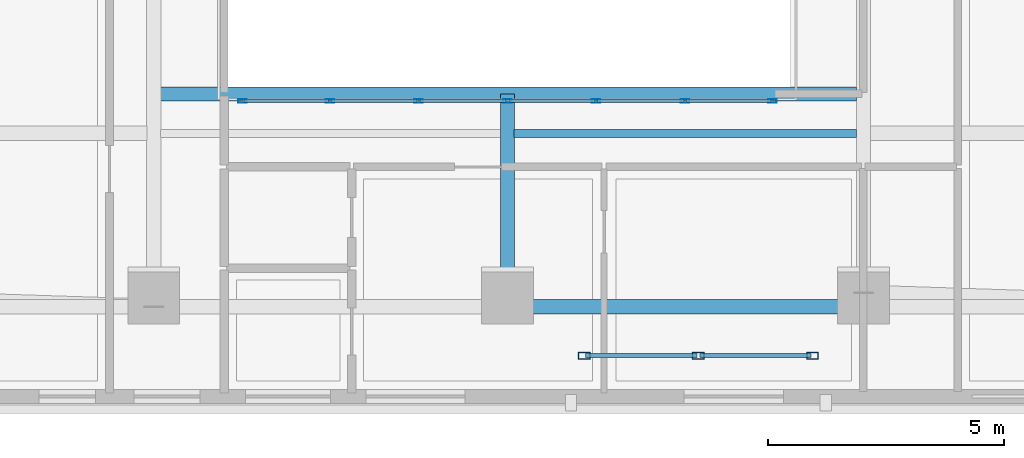
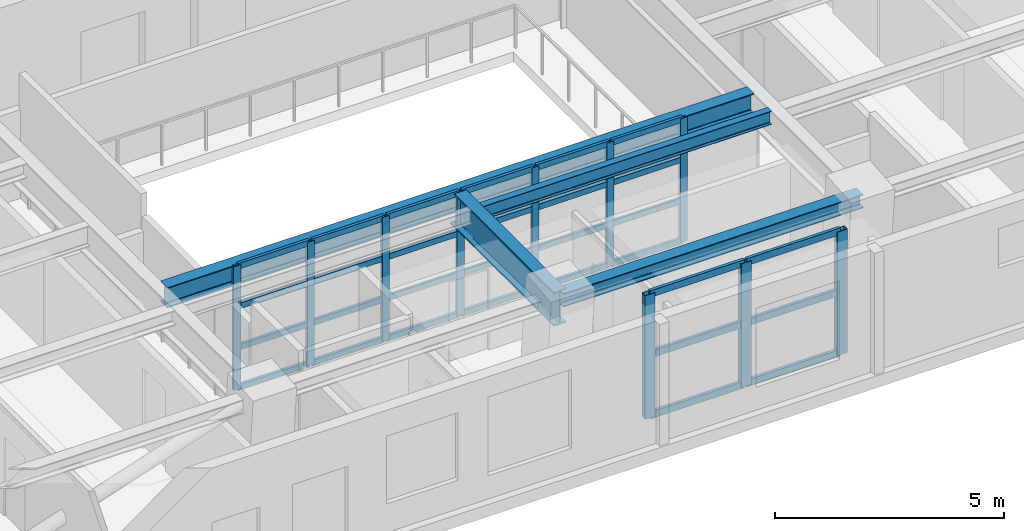
# One storey, part 2 of 13: 40 members, 4 beams, 2 elements without a shape of their own.
"""IFC4 building model written with IfcOpenShell, lengths in metres."""

from ifc_helpers import new_model, si_unit, direction, frame, origin, origin_2d, place, context, subcontext, project, spatial, hollow_rectangle, i_section, extrude, material, layer, layer_set, material_profile, profile_set, type_object, element, aggregate, save


model = new_model("IFC4")

# Units and contexts
model_context = context("Model", 3, precision=1e-05, world=origin(), true_north=direction((0.0, 1.0)))
body_context = subcontext(model_context, "Body", "Model", "MODEL_VIEW")
ifc_project = project(units=[si_unit("LENGTHUNIT", "METRE"), si_unit("AREAUNIT", "SQUARE_METRE"), si_unit("VOLUMEUNIT", "CUBIC_METRE"), si_unit("PLANEANGLEUNIT", "RADIAN"), si_unit("MASSUNIT", "GRAM", prefix="KILO")], contexts=[model_context])

# Site, building, storey
site_placement = place(None, origin())
site = spatial("IfcSite", under=ifc_project, at=site_placement, CompositionType="ELEMENT")
building_placement = place(site_placement, origin())
building = spatial("IfcBuilding", under=site, at=building_placement, Name="Zarnavel Station Tower", CompositionType="ELEMENT")
storey_placement = place(building_placement, frame((0.0, 0.0, 148.35009765625)))
storey = spatial("IfcBuildingStorey", under=building, at=storey_placement, Name="L40", CompositionType="ELEMENT", Elevation=148.35009765625)

# Curtain wall, members
ifc_material_1 = material(Name="Aluminium Dark Anodised and Solar-Control Glass", Category="aluminium")
ifc_layer_1 = layer(ifc_material_1, 0.179931640625)
ifc_layer_set_1 = layer_set([ifc_layer_1], Name="CWS4")
curtain_wall_type_1 = type_object("IfcCurtainWallType", Name="CWS4", PredefinedType="NOTDEFINED", material=ifc_layer_set_1)
curtain_wall_1_placement = place(storey_placement, origin())
curtain_wall_1 = element("IfcCurtainWall", 1, at=curtain_wall_1_placement, inside=storey, type_object=curtain_wall_type_1, Name="L40 Curtain Wall CWS4-L40-AS", PredefinedType="NOTDEFINED")
ifc_material_2 = material(Name="Steel S355J2 (Black Fluoropolymer Coated)", Category="steel")
ifc_material_profile_1 = material_profile(ifc_material_2, hollow_rectangle(XDim=0.080078125, YDim=0.179931640625, WallThickness=0.00634765625, at=origin_2d()), Name="RHS180x80x6.3")
ifc_profile_set_1 = profile_set([ifc_material_profile_1], Name="Steel S355J2 (Black Fluoropolymer Coated)")
member_type_1 = type_object("IfcMemberType", Name="CWS4_MUL", PredefinedType="MULLION", material=ifc_profile_set_1)
member_1_placement = place(storey_placement, frame((23.179931640625, 16.85009765625, 0.0), z_axis=(0.0, 0.0, 1.0), x_axis=(0.0, 1.0, 0.0)))
member_1 = element("IfcMember", 2, at=member_1_placement, type_object=member_type_1, Name="CW4 mullion 1", PredefinedType="MULLION", context=body_context, shape_type="SweptSolid", body=[
    extrude(hollow_rectangle(XDim=0.080078125, YDim=0.179931640625, WallThickness=0.00634765625, at=origin_2d()), origin(), (0.0, 0.0, 1.0), 3.289794921875),
])
member_2_placement = place(storey_placement, frame((25.033447265625, 16.85009765625, 0.0), z_axis=(0.0, 0.0, 1.0), x_axis=(0.0, 1.0, 0.0)))
member_2 = element("IfcMember", 3, at=member_2_placement, type_object=member_type_1, Name="CW4 mullion 2", PredefinedType="MULLION", context=body_context, shape_type="SweptSolid", body=[
    extrude(hollow_rectangle(XDim=0.080078125, YDim=0.179931640625, WallThickness=0.00634765625, at=origin_2d()), origin(), (0.0, 0.0, 1.0), 3.289794921875),
])
member_3_placement = place(storey_placement, frame((26.916748046875, 16.85009765625, 0.0), z_axis=(0.0, 0.0, 1.0), x_axis=(0.0, 1.0, 0.0)))
member_3 = element("IfcMember", 4, at=member_3_placement, type_object=member_type_1, Name="CW4 mullion 3", PredefinedType="MULLION", context=body_context, shape_type="SweptSolid", body=[
    extrude(hollow_rectangle(XDim=0.080078125, YDim=0.179931640625, WallThickness=0.00634765625, at=origin_2d()), origin(), (0.0, 0.0, 1.0), 3.289794921875),
])
member_4_placement = place(storey_placement, frame((28.800048828125, 16.85009765625, 0.0), z_axis=(0.0, 0.0, 1.0), x_axis=(0.0, 1.0, 0.0)))
member_4 = element("IfcMember", 5, at=member_4_placement, type_object=member_type_1, Name="CW4 mullion 4", PredefinedType="MULLION", context=body_context, shape_type="SweptSolid", body=[
    extrude(hollow_rectangle(XDim=0.080078125, YDim=0.179931640625, WallThickness=0.00634765625, at=origin_2d()), origin(), (0.0, 0.0, 1.0), 3.289794921875),
])
member_5_placement = place(storey_placement, frame((30.683349609375, 16.85009765625, 0.0), z_axis=(0.0, 0.0, 1.0), x_axis=(0.0, 1.0, 0.0)))
member_5 = element("IfcMember", 6, at=member_5_placement, type_object=member_type_1, Name="CW4 mullion 5", PredefinedType="MULLION", context=body_context, shape_type="SweptSolid", body=[
    extrude(hollow_rectangle(XDim=0.080078125, YDim=0.179931640625, WallThickness=0.00634765625, at=origin_2d()), origin(), (0.0, 0.0, 1.0), 3.289794921875),
])
member_6_placement = place(storey_placement, frame((32.566650390625, 16.85009765625, 0.0), z_axis=(0.0, 0.0, 1.0), x_axis=(0.0, 1.0, 0.0)))
member_6 = element("IfcMember", 7, at=member_6_placement, type_object=member_type_1, Name="CW4 mullion 6", PredefinedType="MULLION", context=body_context, shape_type="SweptSolid", body=[
    extrude(hollow_rectangle(XDim=0.080078125, YDim=0.179931640625, WallThickness=0.00634765625, at=origin_2d()), origin(), (0.0, 0.0, 1.0), 3.289794921875),
])
member_7_placement = place(storey_placement, frame((34.419921875, 16.85009765625, 0.0), z_axis=(0.0, 0.0, 1.0), x_axis=(0.0, 1.0, 0.0)))
member_7 = element("IfcMember", 8, at=member_7_placement, type_object=member_type_1, Name="CW4 mullion 7", PredefinedType="MULLION", context=body_context, shape_type="SweptSolid", body=[
    extrude(hollow_rectangle(XDim=0.080078125, YDim=0.179931640625, WallThickness=0.00634765625, at=origin_2d()), origin(), (0.0, 0.0, 1.0), 3.289794921875),
])
ifc_material_3 = material(Name="Steel S355J2 (Black Fluoropolymer Coated)", Category="steel")
ifc_material_profile_2 = material_profile(ifc_material_3, hollow_rectangle(XDim=0.074951171875, YDim=0.14990234375, WallThickness=0.00634765625, at=origin_2d()), Name="RHS150x75x6.3")
ifc_profile_set_2 = profile_set([ifc_material_profile_2], Name="Steel S355J2 (Black Fluoropolymer Coated)")
member_type_2 = type_object("IfcMemberType", Name="CWS4_TRN", PredefinedType="USERDEFINED", material=ifc_profile_set_2)
member_8_placement = place(storey_placement, frame((23.2099609375, 16.85009765625, 0.02978515625), z_axis=(1.0, 0.0, 0.0), x_axis=(0.0, 1.0, 0.0)))
member_8 = element("IfcMember", 9, at=member_8_placement, type_object=member_type_2, Name="CW4 transom 1.1", ObjectType="TRANSOM", PredefinedType="USERDEFINED", context=body_context, shape_type="SweptSolid", body=[
    extrude(hollow_rectangle(XDim=0.074951171875, YDim=0.14990234375, WallThickness=0.00634765625, at=origin_2d()), origin(), (0.0, 0.0, 1.0), 1.79345703125),
])
member_9_placement = place(storey_placement, frame((23.2099609375, 16.85009765625, 1.0966796875), z_axis=(1.0, 0.0, 0.0), x_axis=(0.0, 1.0, 0.0)))
member_9 = element("IfcMember", 10, at=member_9_placement, type_object=member_type_2, Name="CW4 transom 1.2", ObjectType="TRANSOM", PredefinedType="USERDEFINED", context=body_context, shape_type="SweptSolid", body=[
    extrude(hollow_rectangle(XDim=0.074951171875, YDim=0.14990234375, WallThickness=0.00634765625, at=origin_2d()), origin(), (0.0, 0.0, 1.0), 1.79345703125),
])
member_10_placement = place(storey_placement, frame((23.2099609375, 16.85009765625, 2.193115234375), z_axis=(1.0, 0.0, 0.0), x_axis=(0.0, 1.0, 0.0)))
member_10 = element("IfcMember", 11, at=member_10_placement, type_object=member_type_2, Name="CW4 transom 1.3", ObjectType="TRANSOM", PredefinedType="USERDEFINED", context=body_context, shape_type="SweptSolid", body=[
    extrude(hollow_rectangle(XDim=0.074951171875, YDim=0.14990234375, WallThickness=0.00634765625, at=origin_2d()), origin(), (0.0, 0.0, 1.0), 1.79345703125),
])
member_11_placement = place(storey_placement, frame((23.2099609375, 16.85009765625, 3.260009765625), z_axis=(1.0, 0.0, 0.0), x_axis=(0.0, 1.0, 0.0)))
member_11 = element("IfcMember", 12, at=member_11_placement, type_object=member_type_2, Name="CW4 transom 1.4", ObjectType="TRANSOM", PredefinedType="USERDEFINED", context=body_context, shape_type="SweptSolid", body=[
    extrude(hollow_rectangle(XDim=0.074951171875, YDim=0.14990234375, WallThickness=0.00634765625, at=origin_2d()), origin(), (0.0, 0.0, 1.0), 1.79345703125),
])
member_12_placement = place(storey_placement, frame((25.063232421875, 16.85009765625, 0.02978515625), z_axis=(1.0, 0.0, 0.0), x_axis=(0.0, 1.0, 0.0)))
member_12 = element("IfcMember", 13, at=member_12_placement, type_object=member_type_2, Name="CW4 transom 2.1", ObjectType="TRANSOM", PredefinedType="USERDEFINED", context=body_context, shape_type="SweptSolid", body=[
    extrude(hollow_rectangle(XDim=0.074951171875, YDim=0.14990234375, WallThickness=0.00634765625, at=origin_2d()), origin(), (0.0, 0.0, 1.0), 1.823486328125),
])
member_13_placement = place(storey_placement, frame((25.063232421875, 16.85009765625, 1.0966796875), z_axis=(1.0, 0.0, 0.0), x_axis=(0.0, 1.0, 0.0)))
member_13 = element("IfcMember", 14, at=member_13_placement, type_object=member_type_2, Name="CW4 transom 2.2", ObjectType="TRANSOM", PredefinedType="USERDEFINED", context=body_context, shape_type="SweptSolid", body=[
    extrude(hollow_rectangle(XDim=0.074951171875, YDim=0.14990234375, WallThickness=0.00634765625, at=origin_2d()), origin(), (0.0, 0.0, 1.0), 1.823486328125),
])
member_14_placement = place(storey_placement, frame((25.063232421875, 16.85009765625, 2.193115234375), z_axis=(1.0, 0.0, 0.0), x_axis=(0.0, 1.0, 0.0)))
member_14 = element("IfcMember", 15, at=member_14_placement, type_object=member_type_2, Name="CW4 transom 2.3", ObjectType="TRANSOM", PredefinedType="USERDEFINED", context=body_context, shape_type="SweptSolid", body=[
    extrude(hollow_rectangle(XDim=0.074951171875, YDim=0.14990234375, WallThickness=0.00634765625, at=origin_2d()), origin(), (0.0, 0.0, 1.0), 1.823486328125),
])
member_15_placement = place(storey_placement, frame((25.063232421875, 16.85009765625, 3.260009765625), z_axis=(1.0, 0.0, 0.0), x_axis=(0.0, 1.0, 0.0)))
member_15 = element("IfcMember", 16, at=member_15_placement, type_object=member_type_2, Name="CW4 transom 2.4", ObjectType="TRANSOM", PredefinedType="USERDEFINED", context=body_context, shape_type="SweptSolid", body=[
    extrude(hollow_rectangle(XDim=0.074951171875, YDim=0.14990234375, WallThickness=0.00634765625, at=origin_2d()), origin(), (0.0, 0.0, 1.0), 1.823486328125),
])
member_16_placement = place(storey_placement, frame((26.94677734375, 16.85009765625, 0.02978515625), z_axis=(1.0, 0.0, 0.0), x_axis=(0.0, 1.0, 0.0)))
member_16 = element("IfcMember", 17, at=member_16_placement, type_object=member_type_2, Name="CW4 transom 3.1", ObjectType="TRANSOM", PredefinedType="USERDEFINED", context=body_context, shape_type="SweptSolid", body=[
    extrude(hollow_rectangle(XDim=0.074951171875, YDim=0.14990234375, WallThickness=0.00634765625, at=origin_2d()), origin(), (0.0, 0.0, 1.0), 1.8232421875),
])
member_17_placement = place(storey_placement, frame((26.94677734375, 16.85009765625, 1.0966796875), z_axis=(1.0, 0.0, 0.0), x_axis=(0.0, 1.0, 0.0)))
member_17 = element("IfcMember", 18, at=member_17_placement, type_object=member_type_2, Name="CW4 transom 3.2", ObjectType="TRANSOM", PredefinedType="USERDEFINED", context=body_context, shape_type="SweptSolid", body=[
    extrude(hollow_rectangle(XDim=0.074951171875, YDim=0.14990234375, WallThickness=0.00634765625, at=origin_2d()), origin(), (0.0, 0.0, 1.0), 1.8232421875),
])
member_18_placement = place(storey_placement, frame((26.94677734375, 16.85009765625, 2.193115234375), z_axis=(1.0, 0.0, 0.0), x_axis=(0.0, 1.0, 0.0)))
member_18 = element("IfcMember", 19, at=member_18_placement, type_object=member_type_2, Name="CW4 transom 3.3", ObjectType="TRANSOM", PredefinedType="USERDEFINED", context=body_context, shape_type="SweptSolid", body=[
    extrude(hollow_rectangle(XDim=0.074951171875, YDim=0.14990234375, WallThickness=0.00634765625, at=origin_2d()), origin(), (0.0, 0.0, 1.0), 1.8232421875),
])
member_19_placement = place(storey_placement, frame((26.94677734375, 16.85009765625, 3.260009765625), z_axis=(1.0, 0.0, 0.0), x_axis=(0.0, 1.0, 0.0)))
member_19 = element("IfcMember", 20, at=member_19_placement, type_object=member_type_2, Name="CW4 transom 3.4", ObjectType="TRANSOM", PredefinedType="USERDEFINED", context=body_context, shape_type="SweptSolid", body=[
    extrude(hollow_rectangle(XDim=0.074951171875, YDim=0.14990234375, WallThickness=0.00634765625, at=origin_2d()), origin(), (0.0, 0.0, 1.0), 1.8232421875),
])
member_20_placement = place(storey_placement, frame((28.830078125, 16.85009765625, 0.02978515625), z_axis=(1.0, 0.0, 0.0), x_axis=(0.0, 1.0, 0.0)))
member_20 = element("IfcMember", 21, at=member_20_placement, type_object=member_type_2, Name="CW4 transom 4.1", ObjectType="TRANSOM", PredefinedType="USERDEFINED", context=body_context, shape_type="SweptSolid", body=[
    extrude(hollow_rectangle(XDim=0.074951171875, YDim=0.14990234375, WallThickness=0.00634765625, at=origin_2d()), origin(), (0.0, 0.0, 1.0), 1.8232421875),
])
member_21_placement = place(storey_placement, frame((28.830078125, 16.85009765625, 1.0966796875), z_axis=(1.0, 0.0, 0.0), x_axis=(0.0, 1.0, 0.0)))
member_21 = element("IfcMember", 22, at=member_21_placement, type_object=member_type_2, Name="CW4 transom 4.2", ObjectType="TRANSOM", PredefinedType="USERDEFINED", context=body_context, shape_type="SweptSolid", body=[
    extrude(hollow_rectangle(XDim=0.074951171875, YDim=0.14990234375, WallThickness=0.00634765625, at=origin_2d()), origin(), (0.0, 0.0, 1.0), 1.8232421875),
])
member_22_placement = place(storey_placement, frame((28.830078125, 16.85009765625, 2.193115234375), z_axis=(1.0, 0.0, 0.0), x_axis=(0.0, 1.0, 0.0)))
member_22 = element("IfcMember", 23, at=member_22_placement, type_object=member_type_2, Name="CW4 transom 4.3", ObjectType="TRANSOM", PredefinedType="USERDEFINED", context=body_context, shape_type="SweptSolid", body=[
    extrude(hollow_rectangle(XDim=0.074951171875, YDim=0.14990234375, WallThickness=0.00634765625, at=origin_2d()), origin(), (0.0, 0.0, 1.0), 1.8232421875),
])
member_23_placement = place(storey_placement, frame((28.830078125, 16.85009765625, 3.260009765625), z_axis=(1.0, 0.0, 0.0), x_axis=(0.0, 1.0, 0.0)))
member_23 = element("IfcMember", 24, at=member_23_placement, type_object=member_type_2, Name="CW4 transom 4.4", ObjectType="TRANSOM", PredefinedType="USERDEFINED", context=body_context, shape_type="SweptSolid", body=[
    extrude(hollow_rectangle(XDim=0.074951171875, YDim=0.14990234375, WallThickness=0.00634765625, at=origin_2d()), origin(), (0.0, 0.0, 1.0), 1.8232421875),
])
member_24_placement = place(storey_placement, frame((30.71337890625, 16.85009765625, 0.02978515625), z_axis=(1.0, 0.0, 0.0), x_axis=(0.0, 1.0, 0.0)))
member_24 = element("IfcMember", 25, at=member_24_placement, type_object=member_type_2, Name="CW4 transom 5.1", ObjectType="TRANSOM", PredefinedType="USERDEFINED", context=body_context, shape_type="SweptSolid", body=[
    extrude(hollow_rectangle(XDim=0.074951171875, YDim=0.14990234375, WallThickness=0.00634765625, at=origin_2d()), origin(), (0.0, 0.0, 1.0), 1.8232421875),
])
member_25_placement = place(storey_placement, frame((30.71337890625, 16.85009765625, 1.0966796875), z_axis=(1.0, 0.0, 0.0), x_axis=(0.0, 1.0, 0.0)))
member_25 = element("IfcMember", 26, at=member_25_placement, type_object=member_type_2, Name="CW4 transom 5.2", ObjectType="TRANSOM", PredefinedType="USERDEFINED", context=body_context, shape_type="SweptSolid", body=[
    extrude(hollow_rectangle(XDim=0.074951171875, YDim=0.14990234375, WallThickness=0.00634765625, at=origin_2d()), origin(), (0.0, 0.0, 1.0), 1.8232421875),
])
member_26_placement = place(storey_placement, frame((30.71337890625, 16.85009765625, 2.193115234375), z_axis=(1.0, 0.0, 0.0), x_axis=(0.0, 1.0, 0.0)))
member_26 = element("IfcMember", 27, at=member_26_placement, type_object=member_type_2, Name="CW4 transom 5.3", ObjectType="TRANSOM", PredefinedType="USERDEFINED", context=body_context, shape_type="SweptSolid", body=[
    extrude(hollow_rectangle(XDim=0.074951171875, YDim=0.14990234375, WallThickness=0.00634765625, at=origin_2d()), origin(), (0.0, 0.0, 1.0), 1.8232421875),
])
member_27_placement = place(storey_placement, frame((30.71337890625, 16.85009765625, 3.260009765625), z_axis=(1.0, 0.0, 0.0), x_axis=(0.0, 1.0, 0.0)))
member_27 = element("IfcMember", 28, at=member_27_placement, type_object=member_type_2, Name="CW4 transom 5.4", ObjectType="TRANSOM", PredefinedType="USERDEFINED", context=body_context, shape_type="SweptSolid", body=[
    extrude(hollow_rectangle(XDim=0.074951171875, YDim=0.14990234375, WallThickness=0.00634765625, at=origin_2d()), origin(), (0.0, 0.0, 1.0), 1.8232421875),
])
member_28_placement = place(storey_placement, frame((32.5966796875, 16.85009765625, 0.02978515625), z_axis=(1.0, 0.0, 0.0), x_axis=(0.0, 1.0, 0.0)))
member_28 = element("IfcMember", 29, at=member_28_placement, type_object=member_type_2, Name="CW4 transom 6.1", ObjectType="TRANSOM", PredefinedType="USERDEFINED", context=body_context, shape_type="SweptSolid", body=[
    extrude(hollow_rectangle(XDim=0.074951171875, YDim=0.14990234375, WallThickness=0.00634765625, at=origin_2d()), origin(), (0.0, 0.0, 1.0), 1.793212890625),
])
member_29_placement = place(storey_placement, frame((32.5966796875, 16.85009765625, 1.0966796875), z_axis=(1.0, 0.0, 0.0), x_axis=(0.0, 1.0, 0.0)))
member_29 = element("IfcMember", 30, at=member_29_placement, type_object=member_type_2, Name="CW4 transom 6.2", ObjectType="TRANSOM", PredefinedType="USERDEFINED", context=body_context, shape_type="SweptSolid", body=[
    extrude(hollow_rectangle(XDim=0.074951171875, YDim=0.14990234375, WallThickness=0.00634765625, at=origin_2d()), origin(), (0.0, 0.0, 1.0), 1.793212890625),
])
member_30_placement = place(storey_placement, frame((32.5966796875, 16.85009765625, 2.193115234375), z_axis=(1.0, 0.0, 0.0), x_axis=(0.0, 1.0, 0.0)))
member_30 = element("IfcMember", 31, at=member_30_placement, type_object=member_type_2, Name="CW4 transom 6.3", ObjectType="TRANSOM", PredefinedType="USERDEFINED", context=body_context, shape_type="SweptSolid", body=[
    extrude(hollow_rectangle(XDim=0.074951171875, YDim=0.14990234375, WallThickness=0.00634765625, at=origin_2d()), origin(), (0.0, 0.0, 1.0), 1.793212890625),
])
member_31_placement = place(storey_placement, frame((32.5966796875, 16.85009765625, 3.260009765625), z_axis=(1.0, 0.0, 0.0), x_axis=(0.0, 1.0, 0.0)))
member_31 = element("IfcMember", 32, at=member_31_placement, type_object=member_type_2, Name="CW4 transom 6.4", ObjectType="TRANSOM", PredefinedType="USERDEFINED", context=body_context, shape_type="SweptSolid", body=[
    extrude(hollow_rectangle(XDim=0.074951171875, YDim=0.14990234375, WallThickness=0.00634765625, at=origin_2d()), origin(), (0.0, 0.0, 1.0), 1.793212890625),
])
aggregate(curtain_wall_1, [member_1, member_2, member_3, member_4, member_5, member_6, member_7, member_8, member_9, member_10, member_11, member_12, member_13, member_14, member_15, member_16, member_17, member_18, member_19, member_20, member_21, member_22, member_23, member_24, member_25, member_26, member_27, member_28, member_29, member_30, member_31])

ifc_material_4 = material(Name="Aluminium Dark Anodised and Solar-Control Glass", Category="aluminium")
ifc_layer_2 = layer(ifc_material_4, 0.179931640625)
ifc_layer_set_2 = layer_set([ifc_layer_2], Name="CWS6")
curtain_wall_type_2 = type_object("IfcCurtainWallType", Name="CWS6", PredefinedType="NOTDEFINED", material=ifc_layer_set_2)
curtain_wall_2_placement = place(storey_placement, origin())
curtain_wall_2 = element("IfcCurtainWall", 33, at=curtain_wall_2_placement, inside=storey, type_object=curtain_wall_type_2, Name="L40 Curtain Wall CWS6-LOG-L40", PredefinedType="NOTDEFINED")
ifc_material_5 = material(Name="Steel S355J2 (Black Fluoropolymer Coated)", Category="steel")
ifc_material_profile_3 = material_profile(ifc_material_5, hollow_rectangle(XDim=0.14990234375, YDim=0.25, WallThickness=0.010009765625, at=origin_2d()), Name="RHS250x150x10")
ifc_profile_set_3 = profile_set([ifc_material_profile_3], Name="Steel S355J2 (Black Fluoropolymer Coated)")
member_type_3 = type_object("IfcMemberType", Name="CWS6_MUL", PredefinedType="MULLION", material=ifc_profile_set_3)
member_32_placement = place(storey_placement, frame((30.429931640625, 11.449951171875, 0.0), z_axis=(0.0, 0.0, 1.0), x_axis=(0.0, 1.0, 0.0)))
member_32 = element("IfcMember", 34, at=member_32_placement, type_object=member_type_3, Name="CW6 mullion 1", PredefinedType="MULLION", context=body_context, shape_type="SweptSolid", body=[
    extrude(hollow_rectangle(XDim=0.14990234375, YDim=0.25, WallThickness=0.010009765625, at=origin_2d()), origin(), (0.0, 0.0, 1.0), 3.289794921875),
])
member_33_placement = place(storey_placement, frame((32.85009765625, 11.449951171875, 0.0), z_axis=(0.0, 0.0, 1.0), x_axis=(0.0, 1.0, 0.0)))
member_33 = element("IfcMember", 35, at=member_33_placement, type_object=member_type_3, Name="CW6 mullion 2", PredefinedType="MULLION", context=body_context, shape_type="SweptSolid", body=[
    extrude(hollow_rectangle(XDim=0.14990234375, YDim=0.25, WallThickness=0.010009765625, at=origin_2d()), origin(), (0.0, 0.0, 1.0), 3.289794921875),
])
member_34_placement = place(storey_placement, frame((35.27001953125, 11.449951171875, 0.0), z_axis=(0.0, 0.0, 1.0), x_axis=(0.0, 1.0, 0.0)))
member_34 = element("IfcMember", 36, at=member_34_placement, type_object=member_type_3, Name="CW6 mullion 3", PredefinedType="MULLION", context=body_context, shape_type="SweptSolid", body=[
    extrude(hollow_rectangle(XDim=0.14990234375, YDim=0.25, WallThickness=0.010009765625, at=origin_2d()), origin(), (0.0, 0.0, 1.0), 3.289794921875),
])
ifc_material_6 = material(Name="Steel S355J2 (Black Fluoropolymer Coated)", Category="steel")
ifc_material_profile_4 = material_profile(ifc_material_6, hollow_rectangle(XDim=0.080078125, YDim=0.179931640625, WallThickness=0.00634765625, at=origin_2d()), Name="RHS180x80x6.3")
ifc_profile_set_4 = profile_set([ifc_material_profile_4], Name="Steel S355J2 (Black Fluoropolymer Coated)")
member_type_4 = type_object("IfcMemberType", Name="CWS6_TRN", PredefinedType="USERDEFINED", material=ifc_profile_set_4)
member_35_placement = place(storey_placement, frame((30.4599609375, 11.449951171875, 0.02978515625), z_axis=(1.0, 0.0, 0.0), x_axis=(0.0, 1.0, 0.0)))
member_35 = element("IfcMember", 37, at=member_35_placement, type_object=member_type_4, Name="CW6 transom 1.1", ObjectType="TRANSOM", PredefinedType="USERDEFINED", context=body_context, shape_type="SweptSolid", body=[
    extrude(hollow_rectangle(XDim=0.080078125, YDim=0.179931640625, WallThickness=0.00634765625, at=origin_2d()), origin(), (0.0, 0.0, 1.0), 2.360107421875),
])
member_36_placement = place(storey_placement, frame((30.4599609375, 11.449951171875, 1.64501953125), z_axis=(1.0, 0.0, 0.0), x_axis=(0.0, 1.0, 0.0)))
member_36 = element("IfcMember", 38, at=member_36_placement, type_object=member_type_4, Name="CW6 transom 1.2", ObjectType="TRANSOM", PredefinedType="USERDEFINED", context=body_context, shape_type="SweptSolid", body=[
    extrude(hollow_rectangle(XDim=0.080078125, YDim=0.179931640625, WallThickness=0.00634765625, at=origin_2d()), origin(), (0.0, 0.0, 1.0), 2.360107421875),
])
member_37_placement = place(storey_placement, frame((30.4599609375, 11.449951171875, 3.260009765625), z_axis=(1.0, 0.0, 0.0), x_axis=(0.0, 1.0, 0.0)))
member_37 = element("IfcMember", 39, at=member_37_placement, type_object=member_type_4, Name="CW6 transom 1.3", ObjectType="TRANSOM", PredefinedType="USERDEFINED", context=body_context, shape_type="SweptSolid", body=[
    extrude(hollow_rectangle(XDim=0.080078125, YDim=0.179931640625, WallThickness=0.00634765625, at=origin_2d()), origin(), (0.0, 0.0, 1.0), 2.360107421875),
])
member_38_placement = place(storey_placement, frame((32.8798828125, 11.449951171875, 0.02978515625), z_axis=(1.0, 0.0, 0.0), x_axis=(0.0, 1.0, 0.0)))
member_38 = element("IfcMember", 40, at=member_38_placement, type_object=member_type_4, Name="CW6 transom 2.1", ObjectType="TRANSOM", PredefinedType="USERDEFINED", context=body_context, shape_type="SweptSolid", body=[
    extrude(hollow_rectangle(XDim=0.080078125, YDim=0.179931640625, WallThickness=0.00634765625, at=origin_2d()), origin(), (0.0, 0.0, 1.0), 2.360107421875),
])
member_39_placement = place(storey_placement, frame((32.8798828125, 11.449951171875, 1.64501953125), z_axis=(1.0, 0.0, 0.0), x_axis=(0.0, 1.0, 0.0)))
member_39 = element("IfcMember", 41, at=member_39_placement, type_object=member_type_4, Name="CW6 transom 2.2", ObjectType="TRANSOM", PredefinedType="USERDEFINED", context=body_context, shape_type="SweptSolid", body=[
    extrude(hollow_rectangle(XDim=0.080078125, YDim=0.179931640625, WallThickness=0.00634765625, at=origin_2d()), origin(), (0.0, 0.0, 1.0), 2.360107421875),
])
member_40_placement = place(storey_placement, frame((32.8798828125, 11.449951171875, 3.260009765625), z_axis=(1.0, 0.0, 0.0), x_axis=(0.0, 1.0, 0.0)))
member_40 = element("IfcMember", 42, at=member_40_placement, type_object=member_type_4, Name="CW6 transom 2.3", ObjectType="TRANSOM", PredefinedType="USERDEFINED", context=body_context, shape_type="SweptSolid", body=[
    extrude(hollow_rectangle(XDim=0.080078125, YDim=0.179931640625, WallThickness=0.00634765625, at=origin_2d()), origin(), (0.0, 0.0, 1.0), 2.360107421875),
])
aggregate(curtain_wall_2, [member_32, member_33, member_34, member_35, member_36, member_37, member_38, member_39, member_40])

# Beams
ifc_material_7 = material(Name="Steel S355J2", Category="steel")
ifc_material_profile_5 = material_profile(ifc_material_7, i_section(OverallWidth=0.300048828125, OverallDepth=0.360107421875, WebThickness=0.012451171875, FlangeThickness=0.0224609375, FilletRadius=0.027099609375, at=origin_2d()), Name="HEB360")
ifc_profile_set_5 = profile_set([ifc_material_profile_5], Name="Steel S355J2")
beam_type_1 = type_object("IfcBeamType", Name="EB_HEB360", PredefinedType="SPANDREL", material=ifc_profile_set_5)
beam_1_placement = place(storey_placement, frame((28.800048828125, 12.486328125, 3.10986328125), z_axis=(1.0, 0.0, 0.0), x_axis=(0.0, 1.0, 0.0)))
element("IfcBeam", 43, at=beam_1_placement, inside=storey, type_object=beam_type_1, Name="L40 South Raked Spandrel 3", PredefinedType="SPANDREL", context=body_context, shape_type="SweptSolid", body=[
    extrude(i_section(OverallWidth=0.300048828125, OverallDepth=0.360107421875, WebThickness=0.012451171875, FlangeThickness=0.0224609375, FilletRadius=0.027099609375, at=origin_2d()), origin(), (0.0, 0.0, 1.0), 7.550048828125),
])
ifc_material_8 = material(Name="Steel S355J2", Category="steel")
ifc_material_profile_6 = material_profile(ifc_material_8, i_section(OverallWidth=0.300048828125, OverallDepth=0.5400390625, WebThickness=0.012451171875, FlangeThickness=0.02392578125, FilletRadius=0.027099609375, at=origin_2d()), Name="HEA550")
ifc_profile_set_6 = profile_set([ifc_material_profile_6], Name="Steel S355J2")
beam_type_2 = type_object("IfcBeamType", Name="FB_HEA550", PredefinedType="BEAM", material=ifc_profile_set_6)
beam_2_placement = place(storey_placement, frame((21.445068359375, 17.0, 3.02001953125), z_axis=(1.0, 0.0, 0.0), x_axis=(0.0, 1.0, 0.0)))
element("IfcBeam", 44, at=beam_2_placement, inside=storey, type_object=beam_type_2, Name="L40 Atrium South Edge Girder", PredefinedType="BEAM", context=body_context, shape_type="SweptSolid", body=[
    extrude(i_section(OverallWidth=0.300048828125, OverallDepth=0.5400390625, WebThickness=0.012451171875, FlangeThickness=0.02392578125, FilletRadius=0.027099609375, at=origin_2d()), origin(), (0.0, 0.0, 1.0), 14.760009765625),
])
ifc_material_9 = material(Name="Steel S355J2", Category="steel")
ifc_material_profile_7 = material_profile(ifc_material_9, i_section(OverallWidth=0.169921875, OverallDepth=0.360107421875, WebThickness=0.008056640625, FlangeThickness=0.0126953125, FilletRadius=0.01806640625, at=origin_2d()), Name="IPE360")
ifc_profile_set_7 = profile_set([ifc_material_profile_7], Name="Steel S355J2")
beam_type_3 = type_object("IfcBeamType", Name="FJ_IPE360", PredefinedType="JOIST", material=ifc_profile_set_7)
beam_3_placement = place(storey_placement, frame((28.945068359375, 16.164794921875, 3.10986328125), z_axis=(1.0, 0.0, 0.0), x_axis=(0.0, 1.0, 0.0)))
element("IfcBeam", 45, at=beam_3_placement, inside=storey, type_object=beam_type_3, Name="L40 Mid-East Joist 1", PredefinedType="JOIST", context=body_context, shape_type="SweptSolid", body=[
    extrude(i_section(OverallWidth=0.169921875, OverallDepth=0.360107421875, WebThickness=0.008056640625, FlangeThickness=0.0126953125, FilletRadius=0.01806640625, at=origin_2d()), origin(), (0.0, 0.0, 1.0), 7.260009765625),
])
ifc_material_10 = material(Name="Steel S460M", Category="steel")
ifc_material_profile_8 = material_profile(ifc_material_10, i_section(OverallWidth=0.302001953125, OverallDepth=0.909912109375, WebThickness=0.02099609375, FlangeThickness=0.0400390625, FilletRadius=0.030029296875, at=origin_2d()), Name="HEM900")
ifc_profile_set_8 = profile_set([ifc_material_profile_8], Name="Steel S460M")
beam_type_4 = type_object("IfcBeamType", Name="TG_HEM900", PredefinedType="USERDEFINED", material=ifc_profile_set_8)
beam_4_placement = place(storey_placement, frame((28.800048828125, 12.486328125, 2.8349609375), z_axis=(0.0, 1.0, 0.0), x_axis=(-1.0, 0.0, 0.0)))
element("IfcBeam", 46, at=beam_4_placement, inside=storey, type_object=beam_type_4, Name="L40 Central Atrium-South Girder", ObjectType="GIRDER", PredefinedType="USERDEFINED", context=body_context, shape_type="SweptSolid", body=[
    extrude(i_section(OverallWidth=0.302001953125, OverallDepth=0.909912109375, WebThickness=0.02099609375, FlangeThickness=0.0400390625, FilletRadius=0.030029296875, at=origin_2d()), origin(), (0.0, 0.0, 1.0), 4.513671875),
])

save(model, "model.ifc")
